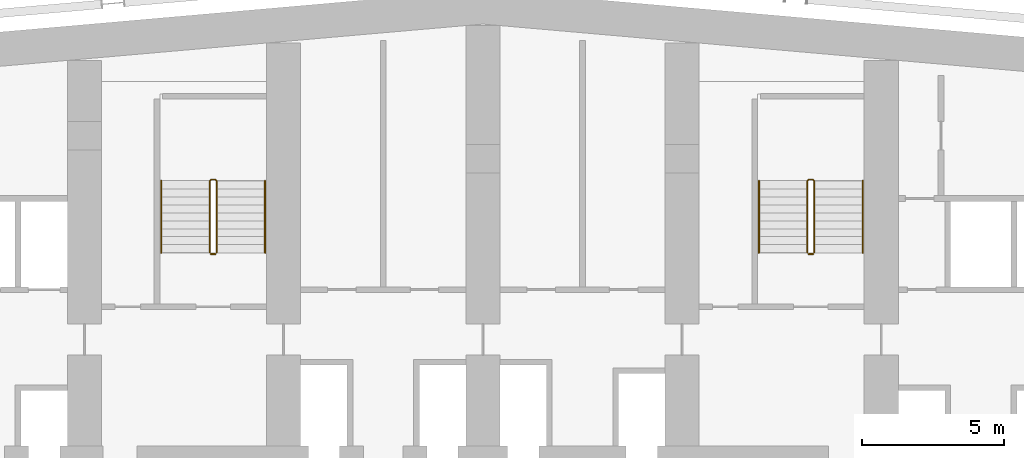
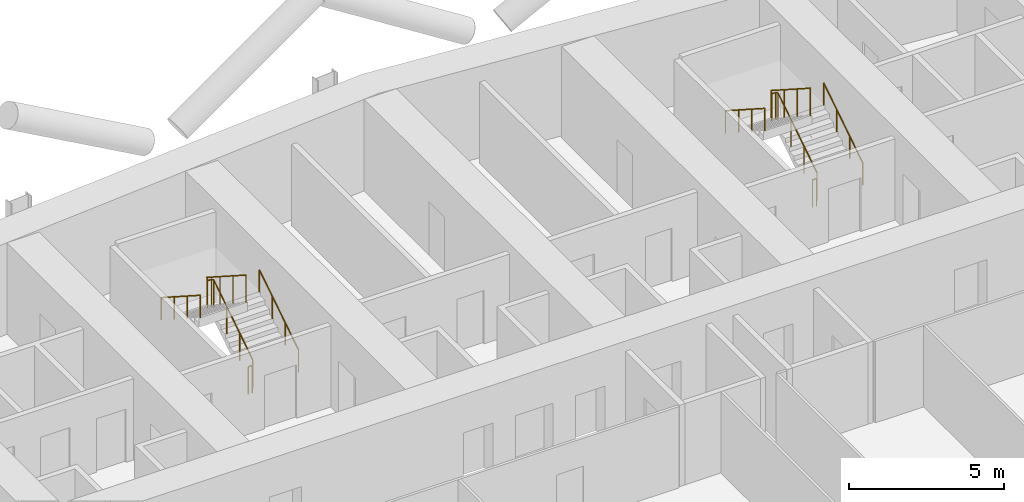
# One storey, part 24 of 25: 8 railings.
"""IFC4 building model written with IfcOpenShell, lengths in metres."""

from ifc_helpers import new_model, si_unit, direction, frame, origin, origin_2d, place, context, subcontext, project, spatial, circle, extrude, material, type_object, element, save


model = new_model("IFC4")

# Units and contexts
model_context = context("Model", 3, precision=1e-05, world=origin(), true_north=direction((0.0, 1.0)))
body_context = subcontext(model_context, "Body", "Model", "MODEL_VIEW")
ifc_project = project(units=[si_unit("LENGTHUNIT", "METRE"), si_unit("AREAUNIT", "SQUARE_METRE"), si_unit("VOLUMEUNIT", "CUBIC_METRE"), si_unit("PLANEANGLEUNIT", "RADIAN"), si_unit("MASSUNIT", "GRAM", prefix="KILO")], contexts=[model_context])

# Site, building, storey
site_placement = place(None, origin())
site = spatial("IfcSite", under=ifc_project, at=site_placement, CompositionType="ELEMENT")
building_placement = place(site_placement, origin())
building = spatial("IfcBuilding", under=site, at=building_placement, Name="Wharfspan Tower", CompositionType="ELEMENT")
storey_placement = place(building_placement, frame((0.0, 0.0, 70.300049)))
storey = spatial("IfcBuildingStorey", under=building, at=storey_placement, Name="L14", CompositionType="ELEMENT", Elevation=70.300049)

# Railings
ifc_material = material(Name="Steel S355J2", Category="steel")
railing_type_1 = type_object("IfcRailingType", Name="Stair guard 1100", PredefinedType="GUARDRAIL", material=ifc_material)
railing_1_placement = place(storey_placement, frame((27.649902, 42.0, 0.179932)))
element("IfcRailing", 1, at=railing_1_placement, inside=storey, type_object=railing_type_1, Name="L14 ST1 stair guard 1", PredefinedType="GUARDRAIL", context=body_context, shape_type="SweptSolid", body=[
    extrude(circle(Radius=0.023926, at=origin_2d()), frame((0.0, 0.0, 1.076172), z_axis=(0.0, 0.841163, 0.540782), x_axis=(-1.0, 0.0, 0.0)), (0.0, 0.0, 1.0), 2.99585),
    extrude(circle(Radius=0.023926, at=origin_2d()), frame((0.0, 2.52002, 2.696289), z_axis=(-0.705376, 0.708834, 0.0), x_axis=(-0.708834, -0.705376, 0.0)), (0.0, 0.0, 1.0), 0.070557),
    extrude(circle(Radius=0.023926, at=origin_2d()), frame((-0.049805, 2.570068, 2.696289), z_axis=(-1.0, 0.0, 0.0), x_axis=(0.0, -1.0, 0.0)), (0.0, 0.0, 1.0), 0.150146),
    extrude(circle(Radius=0.023926, at=origin_2d()), frame((-0.199951, 2.570068, 2.696289), z_axis=(-0.258848, -0.258848, 0.930589), x_axis=(0.707107, -0.707107, 0.0)), (0.0, 0.0, 1.0), 0.193359),
    extrude(circle(Radius=0.023926, at=origin_2d()), frame((-0.25, 2.52002, 2.875977), z_axis=(0.0, -0.8412, 0.540725), x_axis=(1.0, 0.0, 0.0)), (0.0, 0.0, 1.0), 2.99585),
    extrude(circle(Radius=0.020996, at=origin_2d()), origin(), (0.0, 0.0, 1.0), 1.052002),
    extrude(circle(Radius=0.020996, at=origin_2d()), frame((0.0, 0.840088, 0.540039)), (0.0, 0.0, 1.0), 1.052002),
    extrude(circle(Radius=0.020996, at=origin_2d()), frame((0.0, 1.679932, 1.080078)), (0.0, 0.0, 1.0), 1.052002),
    extrude(circle(Radius=0.020996, at=origin_2d()), frame((0.0, 2.52002, 1.620117)), (0.0, 0.0, 1.0), 1.052002),
    extrude(circle(Radius=0.020996, at=origin_2d()), frame((-0.049805, 2.570068, 1.620117)), (0.0, 0.0, 1.0), 1.052002),
    extrude(circle(Radius=0.020996, at=origin_2d()), frame((-0.199951, 2.570068, 1.620117)), (0.0, 0.0, 1.0), 1.052002),
    extrude(circle(Radius=0.020996, at=origin_2d()), frame((-0.25, 2.52002, 1.800049)), (0.0, 0.0, 1.0), 1.052002),
    extrude(circle(Radius=0.020996, at=origin_2d()), frame((-0.25, 1.679932, 2.340088)), (0.0, 0.0, 1.0), 1.052002),
    extrude(circle(Radius=0.020996, at=origin_2d()), frame((-0.25, 0.840088, 2.879883)), (0.0, 0.0, 1.0), 1.052002),
    extrude(circle(Radius=0.020996, at=origin_2d()), frame((-0.25, 0.0, 3.419922)), (0.0, 0.0, 1.0), 1.052002),
])
railing_2_placement = place(storey_placement, frame((27.600098, 41.949951, 0.0)))
element("IfcRailing", 2, at=railing_2_placement, inside=storey, type_object=railing_type_1, Name="L14 ST1 stair guard 2", PredefinedType="GUARDRAIL", context=body_context, shape_type="SweptSolid", body=[
    extrude(circle(Radius=0.023926, at=origin_2d()), frame((0.0, 0.0, 1.076172), z_axis=(-1.0, 0.0, 0.0), x_axis=(0.0, -1.0, 0.0)), (0.0, 0.0, 1.0), 0.150146),
    extrude(circle(Radius=0.020996, at=origin_2d()), origin(), (0.0, 0.0, 1.0), 1.052002),
    extrude(circle(Radius=0.020996, at=origin_2d()), frame((-0.150146, 0.0, 0.0)), (0.0, 0.0, 1.0), 1.052002),
])
railing_3_placement = place(storey_placement, frame((48.649902, 42.0, 0.179932)))
element("IfcRailing", 3, at=railing_3_placement, inside=storey, type_object=railing_type_1, Name="L14 ST2 stair guard 1", PredefinedType="GUARDRAIL", context=body_context, shape_type="SweptSolid", body=[
    extrude(circle(Radius=0.023926, at=origin_2d()), frame((0.0, 0.0, 1.076172), z_axis=(0.0, 0.841163, 0.540782), x_axis=(-1.0, 0.0, 0.0)), (0.0, 0.0, 1.0), 2.99585),
    extrude(circle(Radius=0.023926, at=origin_2d()), frame((0.0, 2.52002, 2.696289), z_axis=(-0.705376, 0.708834, 0.0), x_axis=(-0.708834, -0.705376, 0.0)), (0.0, 0.0, 1.0), 0.070557),
    extrude(circle(Radius=0.023926, at=origin_2d()), frame((-0.049805, 2.570068, 2.696289), z_axis=(-1.0, 0.0, 0.0), x_axis=(0.0, -1.0, 0.0)), (0.0, 0.0, 1.0), 0.150146),
    extrude(circle(Radius=0.023926, at=origin_2d()), frame((-0.199951, 2.570068, 2.696289), z_axis=(-0.258848, -0.258848, 0.930589), x_axis=(0.707107, -0.707107, 0.0)), (0.0, 0.0, 1.0), 0.193359),
    extrude(circle(Radius=0.023926, at=origin_2d()), frame((-0.25, 2.52002, 2.875977), z_axis=(0.0, -0.8412, 0.540725), x_axis=(1.0, 0.0, 0.0)), (0.0, 0.0, 1.0), 2.99585),
    extrude(circle(Radius=0.020996, at=origin_2d()), origin(), (0.0, 0.0, 1.0), 1.052002),
    extrude(circle(Radius=0.020996, at=origin_2d()), frame((0.0, 0.840088, 0.540039)), (0.0, 0.0, 1.0), 1.052002),
    extrude(circle(Radius=0.020996, at=origin_2d()), frame((0.0, 1.679932, 1.080078)), (0.0, 0.0, 1.0), 1.052002),
    extrude(circle(Radius=0.020996, at=origin_2d()), frame((0.0, 2.52002, 1.620117)), (0.0, 0.0, 1.0), 1.052002),
    extrude(circle(Radius=0.020996, at=origin_2d()), frame((-0.049805, 2.570068, 1.620117)), (0.0, 0.0, 1.0), 1.052002),
    extrude(circle(Radius=0.020996, at=origin_2d()), frame((-0.199951, 2.570068, 1.620117)), (0.0, 0.0, 1.0), 1.052002),
    extrude(circle(Radius=0.020996, at=origin_2d()), frame((-0.25, 2.52002, 1.800049)), (0.0, 0.0, 1.0), 1.052002),
    extrude(circle(Radius=0.020996, at=origin_2d()), frame((-0.25, 1.679932, 2.340088)), (0.0, 0.0, 1.0), 1.052002),
    extrude(circle(Radius=0.020996, at=origin_2d()), frame((-0.25, 0.840088, 2.879883)), (0.0, 0.0, 1.0), 1.052002),
    extrude(circle(Radius=0.020996, at=origin_2d()), frame((-0.25, 0.0, 3.419922)), (0.0, 0.0, 1.0), 1.052002),
])
railing_4_placement = place(storey_placement, frame((48.600098, 41.949951, 0.0)))
element("IfcRailing", 4, at=railing_4_placement, inside=storey, type_object=railing_type_1, Name="L14 ST2 stair guard 2", PredefinedType="GUARDRAIL", context=body_context, shape_type="SweptSolid", body=[
    extrude(circle(Radius=0.023926, at=origin_2d()), frame((0.0, 0.0, 1.076172), z_axis=(-1.0, 0.0, 0.0), x_axis=(0.0, -1.0, 0.0)), (0.0, 0.0, 1.0), 0.150146),
    extrude(circle(Radius=0.020996, at=origin_2d()), origin(), (0.0, 0.0, 1.0), 1.052002),
    extrude(circle(Radius=0.020996, at=origin_2d()), frame((-0.150146, 0.0, 0.0)), (0.0, 0.0, 1.0), 1.052002),
])
railing_type_2 = type_object("IfcRailingType", Name="Stair handrail 900", PredefinedType="HANDRAIL", material=ifc_material)
railing_5_placement = place(storey_placement, frame((29.350098, 42.0, 0.179932)))
element("IfcRailing", 5, at=railing_5_placement, inside=storey, type_object=railing_type_2, Name="L14 ST1 stair handrail 1", PredefinedType="HANDRAIL", context=body_context, shape_type="SweptSolid", body=[
    extrude(circle(Radius=0.023926, at=origin_2d()), frame((0.0, 0.0, 0.875977), z_axis=(0.0, 0.841163, 0.540782), x_axis=(-1.0, 0.0, 0.0)), (0.0, 0.0, 1.0), 2.99585),
    extrude(circle(Radius=0.020996, at=origin_2d()), origin(), (0.0, 0.0, 1.0), 0.851807),
    extrude(circle(Radius=0.020996, at=origin_2d()), frame((0.0, 0.840088, 0.540039)), (0.0, 0.0, 1.0), 0.851807),
    extrude(circle(Radius=0.020996, at=origin_2d()), frame((0.0, 1.679932, 1.080078)), (0.0, 0.0, 1.0), 0.851807),
    extrude(circle(Radius=0.020996, at=origin_2d()), frame((0.0, 2.52002, 1.620117)), (0.0, 0.0, 1.0), 0.851807),
])
railing_6_placement = place(storey_placement, frame((25.699951, 44.52002, 1.97998)))
element("IfcRailing", 6, at=railing_6_placement, inside=storey, type_object=railing_type_2, Name="L14 ST1 stair handrail 2", PredefinedType="HANDRAIL", context=body_context, shape_type="SweptSolid", body=[
    extrude(circle(Radius=0.023926, at=origin_2d()), frame((0.0, 0.0, 0.875977), z_axis=(0.0, -0.8412, 0.540725), x_axis=(1.0, 0.0, 0.0)), (0.0, 0.0, 1.0), 2.99585),
    extrude(circle(Radius=0.020996, at=origin_2d()), origin(), (0.0, 0.0, 1.0), 0.851807),
    extrude(circle(Radius=0.020996, at=origin_2d()), frame((0.0, -0.840088, 0.540039)), (0.0, 0.0, 1.0), 0.851807),
    extrude(circle(Radius=0.020996, at=origin_2d()), frame((0.0, -1.679932, 1.079834)), (0.0, 0.0, 1.0), 0.851807),
    extrude(circle(Radius=0.020996, at=origin_2d()), frame((0.0, -2.52002, 1.619873)), (0.0, 0.0, 1.0), 0.851807),
])
railing_7_placement = place(storey_placement, frame((50.350098, 42.0, 0.179932)))
element("IfcRailing", 7, at=railing_7_placement, inside=storey, type_object=railing_type_2, Name="L14 ST2 stair handrail 1", PredefinedType="HANDRAIL", context=body_context, shape_type="SweptSolid", body=[
    extrude(circle(Radius=0.023926, at=origin_2d()), frame((0.0, 0.0, 0.875977), z_axis=(0.0, 0.841163, 0.540782), x_axis=(-1.0, 0.0, 0.0)), (0.0, 0.0, 1.0), 2.99585),
    extrude(circle(Radius=0.020996, at=origin_2d()), origin(), (0.0, 0.0, 1.0), 0.851807),
    extrude(circle(Radius=0.020996, at=origin_2d()), frame((0.0, 0.840088, 0.540039)), (0.0, 0.0, 1.0), 0.851807),
    extrude(circle(Radius=0.020996, at=origin_2d()), frame((0.0, 1.679932, 1.080078)), (0.0, 0.0, 1.0), 0.851807),
    extrude(circle(Radius=0.020996, at=origin_2d()), frame((0.0, 2.52002, 1.620117)), (0.0, 0.0, 1.0), 0.851807),
])
railing_8_placement = place(storey_placement, frame((46.699951, 44.52002, 1.97998)))
element("IfcRailing", 8, at=railing_8_placement, inside=storey, type_object=railing_type_2, Name="L14 ST2 stair handrail 2", PredefinedType="HANDRAIL", context=body_context, shape_type="SweptSolid", body=[
    extrude(circle(Radius=0.023926, at=origin_2d()), frame((0.0, 0.0, 0.875977), z_axis=(0.0, -0.8412, 0.540725), x_axis=(1.0, 0.0, 0.0)), (0.0, 0.0, 1.0), 2.99585),
    extrude(circle(Radius=0.020996, at=origin_2d()), origin(), (0.0, 0.0, 1.0), 0.851807),
    extrude(circle(Radius=0.020996, at=origin_2d()), frame((0.0, -0.840088, 0.540039)), (0.0, 0.0, 1.0), 0.851807),
    extrude(circle(Radius=0.020996, at=origin_2d()), frame((0.0, -1.679932, 1.079834)), (0.0, 0.0, 1.0), 0.851807),
    extrude(circle(Radius=0.020996, at=origin_2d()), frame((0.0, -2.52002, 1.619873)), (0.0, 0.0, 1.0), 0.851807),
])

save(model, "model.ifc")
